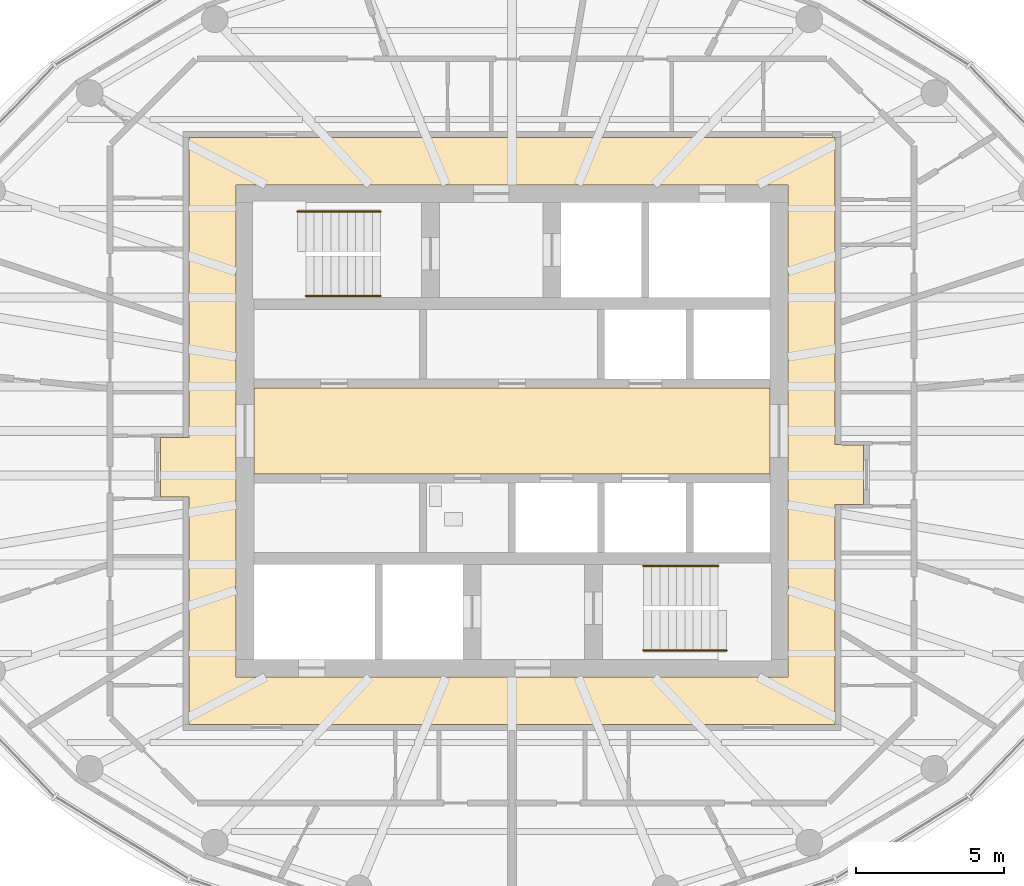
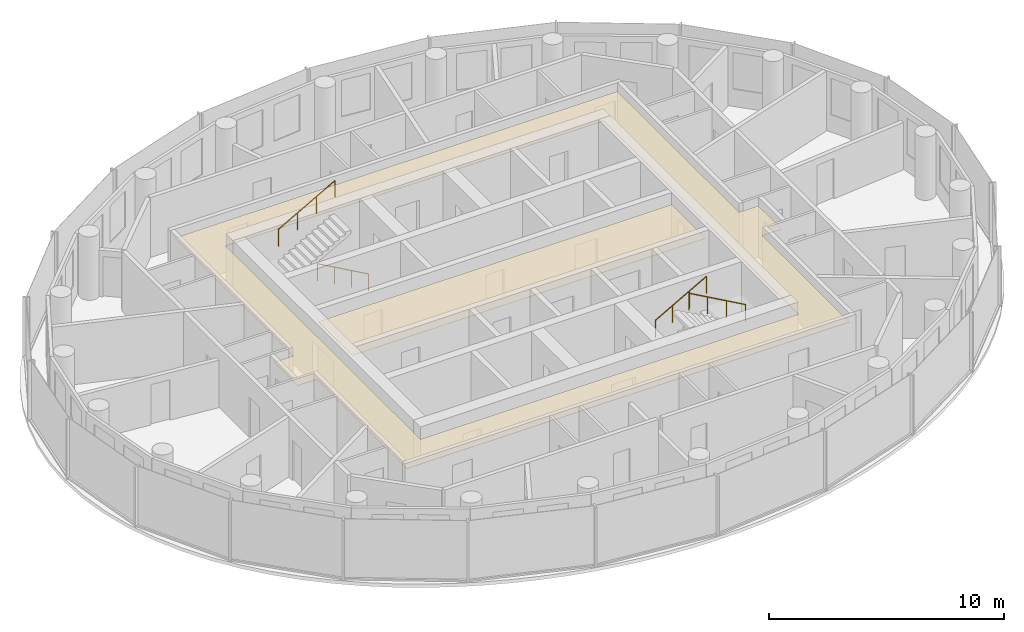
# One storey, part 11 of 12: 4 railings, 2 coverings.
"""IFC4 building model written with IfcOpenShell, lengths in metres."""

from ifc_helpers import new_model, si_unit, direction, frame, origin, origin_2d, place, context, subcontext, project, spatial, polyline, circle, outline, extrude, material, layer, layer_set, type_object, element, save


model = new_model("IFC4")

# Units and contexts
model_context = context("Model", 3, precision=1e-05, world=origin(), true_north=direction((0.0, 1.0)))
body_context = subcontext(model_context, "Body", "Model", "MODEL_VIEW")
ifc_project = project(units=[si_unit("LENGTHUNIT", "METRE"), si_unit("AREAUNIT", "SQUARE_METRE"), si_unit("VOLUMEUNIT", "CUBIC_METRE"), si_unit("PLANEANGLEUNIT", "RADIAN"), si_unit("MASSUNIT", "GRAM", prefix="KILO")], contexts=[model_context])

# Site, building, storey
site_placement = place(None, origin())
site = spatial("IfcSite", under=ifc_project, at=site_placement, CompositionType="ELEMENT")
building_placement = place(site_placement, origin())
building = spatial("IfcBuilding", under=site, at=building_placement, Name="Hankou Lantern Tower", CompositionType="ELEMENT")
storey_placement = place(building_placement, frame((0.0, 0.0, 219.300048828125)))
storey = spatial("IfcBuildingStorey", under=building, at=storey_placement, Name="L59", CompositionType="ELEMENT", Elevation=219.300048828125)

# Coverings
ifc_material_1 = material(Name="Black painted aluminium linear ceiling panels", Category="aluminium")
ifc_layer_1 = layer(ifc_material_1, 0.02490234375)
ifc_layer_set_1 = layer_set([ifc_layer_1], Name="Black painted aluminium linear ceiling panels")
covering_type_1 = type_object("IfcCoveringType", Name="CL1 CORRIDOR CEILING 25", PredefinedType="CEILING", material=ifc_layer_set_1)
covering_1_placement = place(storey_placement, frame((0.0, 0.0, 2.64501953125)))
element("IfcCovering", 1, at=covering_1_placement, inside=storey, type_object=covering_type_1, Name="Corridor ceiling L59", PredefinedType="CEILING", context=body_context, shape_type="SweptSolid", body=[
    extrude(outline(polyline([(11.85009765625, -2.474365234375), (11.85009765625, -0.474365234375), (11.1201171875, -0.474365234375), (11.1201171875, -0.46435546875), (10.89794921875, -0.46435546875), (10.89794921875, 9.89794921875), (-10.89794921875, 9.89794921875), (-10.89794921875, -0.21435546875), (-11.1201171875, -0.21435546875), (-11.1201171875, -0.224365234375), (-11.85009765625, -0.224365234375), (-11.85009765625, -2.224365234375), (-11.1201171875, -2.224365234375), (-11.1201171875, -2.234375), (-10.89794921875, -2.234375), (-10.89794921875, -9.89794921875), (10.89794921875, -9.89794921875), (10.89794921875, -2.484375), (11.1201171875, -2.484375), (11.1201171875, -2.474365234375), (11.85009765625, -2.474365234375)]), holes=[polyline([(-9.300048828125, 8.300048828125), (9.300048828125, 8.300048828125), (9.300048828125, -8.300048828125), (-9.300048828125, -8.300048828125), (-9.300048828125, 8.300048828125)])]), origin(), (0.0, 0.0, 1.0), 0.02490234375),
])
ifc_material_2 = material(Name="Perforated black aluminium acoustic tray ceiling", Category="aluminium")
ifc_layer_2 = layer(ifc_material_2, 0.014892578125)
ifc_layer_set_2 = layer_set([ifc_layer_2], Name="Perforated black aluminium acoustic tray ceiling")
covering_type_2 = type_object("IfcCoveringType", Name="CL2 LIFT LOBBY CEILING 15", PredefinedType="CEILING", material=ifc_layer_set_2)
covering_2_placement = place(storey_placement, frame((0.0, 0.0, 2.655029296875)))
element("IfcCovering", 2, at=covering_2_placement, inside=storey, type_object=covering_type_2, Name="Lift lobby ceiling L59", PredefinedType="CEILING", context=body_context, shape_type="SweptSolid", body=[
    extrude(outline(polyline([(-8.699951171875, -1.449951171875), (8.699951171875, -1.449951171875), (8.699951171875, 1.449951171875), (-8.699951171875, 1.449951171875), (-8.699951171875, -1.449951171875)])), origin(), (0.0, 0.0, 1.0), 0.014892578125),
])

# Railings
ifc_material_3 = material(Name="Steel handrail", Category="steel")
railing_type = type_object("IfcRailingType", Name="HR1 STAIR HANDRAIL", PredefinedType="HANDRAIL", material=ifc_material_3)
railing_1_placement = place(storey_placement, frame((-4.429931640625, 4.550048828125, 0.89990234375)))
element("IfcRailing", 3, at=railing_1_placement, inside=storey, type_object=railing_type, Name="Handrail stair STA L59 flight 1", PredefinedType="HANDRAIL", context=body_context, shape_type="SweptSolid", body=[
    extrude(circle(Radius=0.02392578125, at=origin_2d()), frame((0.0, 0.0, 0.8759765625), z_axis=(-0.872048945198, 0.0, 0.489418672692), x_axis=(0.0, -1.0, 0.0)), (0.0, 0.0, 1.0), 2.8896484375),
    extrude(circle(Radius=0.02099609375, at=origin_2d()), origin(), (0.0, 0.0, 1.0), 0.851806640625),
    extrude(circle(Radius=0.02099609375, at=origin_2d()), frame((-0.840087890625, 0.0, 0.471435546875)), (0.0, 0.0, 1.0), 0.851806640625),
    extrude(circle(Radius=0.02099609375, at=origin_2d()), frame((-1.679931640625, 0.0, 0.94287109375)), (0.0, 0.0, 1.0), 0.851806640625),
    extrude(circle(Radius=0.02099609375, at=origin_2d()), frame((-2.52001953125, 0.0, 1.414306640625)), (0.0, 0.0, 1.0), 0.851806640625),
])
railing_2_placement = place(storey_placement, frame((-7.22998046875, 7.39990234375, 2.471435546875)))
element("IfcRailing", 4, at=railing_2_placement, inside=storey, type_object=railing_type, Name="Handrail stair STA L59 flight 2", PredefinedType="HANDRAIL", context=body_context, shape_type="SweptSolid", body=[
    extrude(circle(Radius=0.02392578125, at=origin_2d()), frame((0.0, 0.0, 0.8759765625), z_axis=(0.872072602893, 0.0, 0.489376516891), x_axis=(0.0, 1.0, 0.0)), (0.0, 0.0, 1.0), 3.210693359375),
    extrude(circle(Radius=0.02099609375, at=origin_2d()), origin(), (0.0, 0.0, 1.0), 0.851806640625),
    extrude(circle(Radius=0.02099609375, at=origin_2d()), frame((0.933349609375, 0.0, 0.523681640625)), (0.0, 0.0, 1.0), 0.851806640625),
    extrude(circle(Radius=0.02099609375, at=origin_2d()), frame((1.86669921875, 0.0, 1.047607421875)), (0.0, 0.0, 1.0), 0.851806640625),
    extrude(circle(Radius=0.02099609375, at=origin_2d()), frame((2.800048828125, 0.0, 1.5712890625)), (0.0, 0.0, 1.0), 0.851806640625),
])
railing_3_placement = place(storey_placement, frame((4.429931640625, -4.550048828125, 0.89990234375)))
element("IfcRailing", 5, at=railing_3_placement, inside=storey, type_object=railing_type, Name="Handrail stair STB L59 flight 1", PredefinedType="HANDRAIL", context=body_context, shape_type="SweptSolid", body=[
    extrude(circle(Radius=0.02392578125, at=origin_2d()), frame((0.0, 0.0, 0.8759765625), z_axis=(0.872048945198, 0.0, 0.489418672692), x_axis=(0.0, 1.0, 0.0)), (0.0, 0.0, 1.0), 2.8896484375),
    extrude(circle(Radius=0.02099609375, at=origin_2d()), origin(), (0.0, 0.0, 1.0), 0.851806640625),
    extrude(circle(Radius=0.02099609375, at=origin_2d()), frame((0.840087890625, 0.0, 0.471435546875)), (0.0, 0.0, 1.0), 0.851806640625),
    extrude(circle(Radius=0.02099609375, at=origin_2d()), frame((1.679931640625, 0.0, 0.94287109375)), (0.0, 0.0, 1.0), 0.851806640625),
    extrude(circle(Radius=0.02099609375, at=origin_2d()), frame((2.52001953125, 0.0, 1.414306640625)), (0.0, 0.0, 1.0), 0.851806640625),
])
railing_4_placement = place(storey_placement, frame((7.22998046875, -7.39990234375, 2.471435546875)))
element("IfcRailing", 6, at=railing_4_placement, inside=storey, type_object=railing_type, Name="Handrail stair STB L59 flight 2", PredefinedType="HANDRAIL", context=body_context, shape_type="SweptSolid", body=[
    extrude(circle(Radius=0.02392578125, at=origin_2d()), frame((0.0, 0.0, 0.8759765625), z_axis=(-0.872072602893, 0.0, 0.489376516891), x_axis=(0.0, -1.0, 0.0)), (0.0, 0.0, 1.0), 3.210693359375),
    extrude(circle(Radius=0.02099609375, at=origin_2d()), origin(), (0.0, 0.0, 1.0), 0.851806640625),
    extrude(circle(Radius=0.02099609375, at=origin_2d()), frame((-0.933349609375, 0.0, 0.523681640625)), (0.0, 0.0, 1.0), 0.851806640625),
    extrude(circle(Radius=0.02099609375, at=origin_2d()), frame((-1.86669921875, 0.0, 1.047607421875)), (0.0, 0.0, 1.0), 0.851806640625),
    extrude(circle(Radius=0.02099609375, at=origin_2d()), frame((-2.800048828125, 0.0, 1.5712890625)), (0.0, 0.0, 1.0), 0.851806640625),
])

save(model, "model.ifc")
